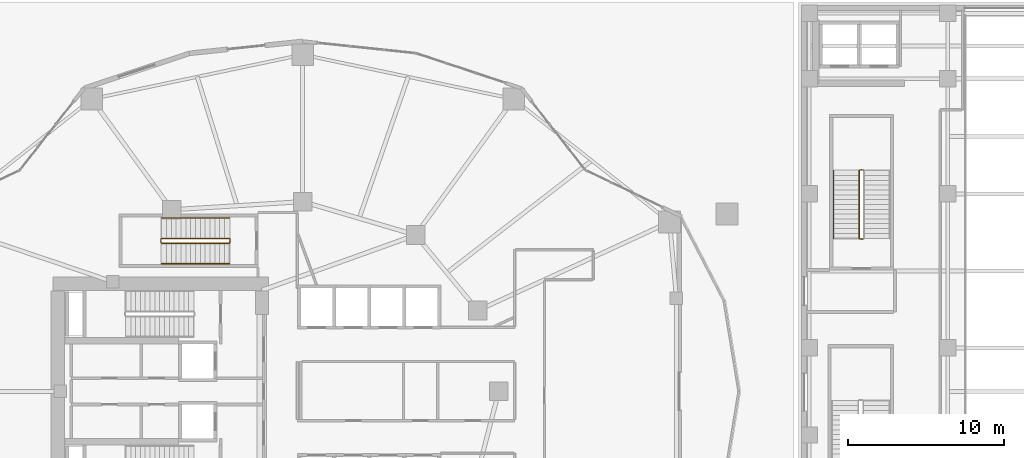
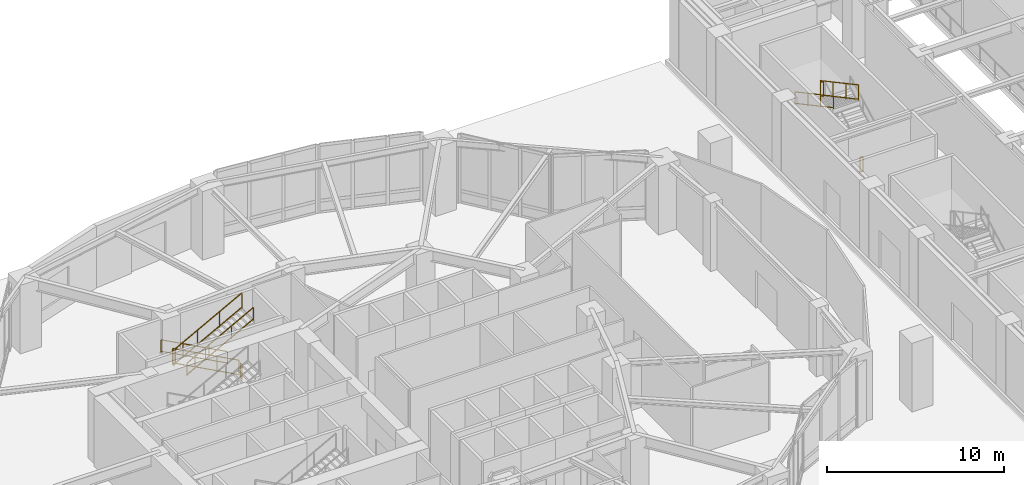
# One storey, part 20 of 23: 10 railings.
"""IFC4 building model written with IfcOpenShell, lengths in metres."""

import ifcopenshell
import ifcopenshell.guid

model = None  # the IFC model being written
_history = None  # IfcOwnerHistory: only IFC2X3 demands one
_inside = {}  # id of a spatial element -> (the spatial element, [elements in it])
_under = {}  # id of a project, library or spatial element -> (it, [spatial elements below it])
_declared = {}  # id of a project -> (the project, [libraries it declares])
_typed = {}  # id of a type object -> (the type object, [elements of that type])
_made_of = {}  # id of a material, layer set ... -> (it, [elements and type objects made of it])


def new_model(schema):
    """Start an empty IFC model of exactly this schema.

    Asked for "IFC4X3", IfcOpenShell would pick the latest addendum, in which some entities
    have other attributes; the version numbers below select the first issue.
    IFC2X3 requires an IfcOwnerHistory on every rooted entity: one is made here for all.
    """
    global model, _history
    if schema == "IFC4X3":
        model = ifcopenshell.file(schema_version=(4, 3, 0, 0))
    else:
        model = ifcopenshell.file(schema=schema)
    _inside.clear()
    _under.clear()
    _declared.clear()
    _typed.clear()
    _made_of.clear()
    _history = None
    if model.schema == "IFC2X3":
        org = make("IfcOrganization", Name="unknown")
        user = make(
            "IfcPersonAndOrganization",
            ThePerson=make("IfcPerson", FamilyName="unknown"),
            TheOrganization=org,
        )
        app = make(
            "IfcApplication",
            ApplicationDeveloper=org,
            Version="unknown",
            ApplicationFullName="unknown",
            ApplicationIdentifier="unknown",
        )
        _history = make(
            "IfcOwnerHistory",
            OwningUser=user,
            OwningApplication=app,
            ChangeAction="ADDED",
            CreationDate=0,
        )
    return model


def make(cls, **values):
    """One entity of the class cls with the attributes given. An attribute that is None is left unset."""
    return model.create_entity(
        cls, **{name: value for name, value in values.items() if value is not None}
    )


def rooted(cls, **values):
    """An entity with a GlobalId (a new one), such as an element, a storey or a relation."""
    return make(cls, GlobalId=ifcopenshell.guid.new(), OwnerHistory=_history, **values)


def si_unit(unit_type, name, prefix=None):
    """IfcSIUnit, for example si_unit("LENGTHUNIT", "METRE", prefix="MILLI")."""
    return make("IfcSIUnit", UnitType=unit_type, Prefix=prefix, Name=name)


def assignment(units):
    """IfcUnitAssignment: the units of a project."""
    return None if units is None else make("IfcUnitAssignment", Units=units)


def point(xyz):
    """IfcCartesianPoint."""
    return None if xyz is None else make("IfcCartesianPoint", Coordinates=xyz)


def direction(xyz):
    """IfcDirection."""
    return None if xyz is None else make("IfcDirection", DirectionRatios=xyz)


def frame(location, z_axis=None, x_axis=None):
    """IfcAxis2Placement3D, a coordinate frame: its origin and axes. An axis left out is left unset."""
    return make(
        "IfcAxis2Placement3D",
        Location=point(location),
        Axis=direction(z_axis),
        RefDirection=direction(x_axis),
    )


def frame_2d(location, x_axis=None):
    """IfcAxis2Placement2D, a coordinate frame in the plane: its origin and x axis."""
    return make(
        "IfcAxis2Placement2D", Location=point(location), RefDirection=direction(x_axis)
    )


def origin():
    """The frame at (0, 0, 0) with its axes left unset."""
    return frame((0.0, 0.0, 0.0))


def origin_2d():
    """The frame at (0, 0) in the plane with its x axis left unset."""
    return frame_2d((0.0, 0.0))


def place(relative_to, where):
    """IfcLocalPlacement: puts the frame where relative to a parent placement (None: the world)."""
    return make(
        "IfcLocalPlacement", PlacementRelTo=relative_to, RelativePlacement=where
    )


def context(
    kind, dimensions, precision=None, world=None, true_north=None, identifier=None
):
    """IfcGeometricRepresentationContext, for example the 3D "Model" context."""
    return make(
        "IfcGeometricRepresentationContext",
        ContextIdentifier=identifier,
        ContextType=kind,
        CoordinateSpaceDimension=dimensions,
        Precision=precision,
        WorldCoordinateSystem=world,
        TrueNorth=true_north,
    )


def subcontext(parent, identifier, kind, view, scale=None):
    """IfcGeometricRepresentationSubContext, for example "Body" below "Model"."""
    return make(
        "IfcGeometricRepresentationSubContext",
        ContextIdentifier=identifier,
        ContextType=kind,
        ParentContext=parent,
        TargetScale=scale,
        TargetView=view,
    )


def project(units=None, contexts=None):
    """IfcProject with its units and contexts."""
    return rooted(
        "IfcProject",
        Name="project",
        RepresentationContexts=contexts,
        UnitsInContext=assignment(units),
    )


def spatial(cls, under=None, at=None, **own):
    """A site, building, storey or space (cls), placed at a placement, below another one or the project."""
    s = rooted(cls, ObjectPlacement=at, **own)
    if under is not None:
        _under.setdefault(under.id(), (under, []))[1].append(s)
    return s


def profile(cls, at=None, kind="AREA", **sizes):
    """A parametric profile (cls). Its sizes go by their IFC names, for example OverallWidth=200.0."""
    return make(cls, ProfileType=kind, Position=at, **sizes)


def rectangle(**sizes):
    """IfcRectangleProfileDef."""
    return profile("IfcRectangleProfileDef", **sizes)


def extrude(swept, where, along, depth):
    """IfcExtrudedAreaSolid: the profile swept, set in the frame where, extruded along a direction by depth."""
    return make(
        "IfcExtrudedAreaSolid",
        SweptArea=swept,
        Position=where,
        ExtrudedDirection=direction(along),
        Depth=depth,
    )


def shape(context_of_items, identifier, shape_type, items):
    """IfcShapeRepresentation: the items that make up one representation, for example the "Body"."""
    return make(
        "IfcShapeRepresentation",
        ContextOfItems=context_of_items,
        RepresentationIdentifier=identifier,
        RepresentationType=shape_type,
        Items=items,
    )


def material(Name=None, Category=None):
    """IfcMaterial."""
    return make("IfcMaterial", Name=Name, Category=Category)


def made_of(thing, what):
    """Note that an element or type object is made of a material, layer set ...; save() writes the relation."""
    if what is not None:
        _made_of.setdefault(what.id(), (what, []))[1].append(thing)
    return thing


def type_object(cls, material=None, **own):
    """A type object (cls), such as IfcWallType, which elements share."""
    return made_of(rooted(cls, **own), material)


def element(
    cls,
    number,
    at=None,
    inside=None,
    cuts=None,
    type_object=None,
    material=None,
    context=None,
    identifier="Body",
    shape_type=None,
    held_by="IfcProductDefinitionShape",
    body=None,
    shapes=None,
    **own,
):
    """One element of the class cls, such as IfcWall. Its Tag is "e" and its number.

    at: its placement. inside: the storey or other place that contains it. cuts: it is an
    opening in that element (IfcRelVoidsElement). A single representation is given by context,
    identifier, shape_type and body (its items); several are given by shapes. held_by: the class
    of the entity that holds the representations. save() writes the other relations.
    """
    e = rooted(cls, Tag="e%d" % number, ObjectPlacement=at, **own)
    if body is not None:
        shapes = [shape(context, identifier, shape_type, body)]
    if shapes is not None:
        e.Representation = make(held_by, Representations=shapes)
    if inside is not None:
        _inside.setdefault(inside.id(), (inside, []))[1].append(e)
    if cuts is not None:
        rooted(
            "IfcRelVoidsElement", RelatingBuildingElement=cuts, RelatedOpeningElement=e
        )
    if type_object is not None:
        _typed.setdefault(type_object.id(), (type_object, []))[1].append(e)
    return made_of(e, material)


def aggregate(whole, parts):
    """IfcRelAggregates: a whole, such as a stair, and the parts it consists of."""
    return rooted("IfcRelAggregates", RelatingObject=whole, RelatedObjects=parts)


def save(model, path):
    """Write the relations noted so far, then the file.

    IfcRelAggregates (storeys below a building ...), IfcRelContainedInSpatialStructure (elements
    in a storey), IfcRelDefinesByType, IfcRelAssociatesMaterial and IfcRelDeclares: one each for
    every whole, place, type object, material and project.
    """
    for whole, parts in _under.values():
        aggregate(whole, parts)
    for where, things in _inside.values():
        rooted(
            "IfcRelContainedInSpatialStructure",
            RelatedElements=things,
            RelatingStructure=where,
        )
    for kind, things in _typed.values():
        rooted("IfcRelDefinesByType", RelatedObjects=things, RelatingType=kind)
    for what, things in _made_of.values():
        rooted("IfcRelAssociatesMaterial", RelatedObjects=things, RelatingMaterial=what)
    for by, libraries in _declared.values():
        rooted("IfcRelDeclares", RelatingContext=by, RelatedDefinitions=libraries)
    model.write(path)


model = new_model("IFC4")

# Units and contexts
model_context = context("Model", 3, precision=1e-05, world=origin(), true_north=direction((0.0, 1.0)))
body_context = subcontext(model_context, "Body", "Model", "MODEL_VIEW")
ifc_project = project(units=[si_unit("LENGTHUNIT", "METRE"), si_unit("AREAUNIT", "SQUARE_METRE"), si_unit("VOLUMEUNIT", "CUBIC_METRE"), si_unit("PLANEANGLEUNIT", "RADIAN"), si_unit("MASSUNIT", "GRAM", prefix="KILO")], contexts=[model_context])

# Site, building, storey
site_placement = place(None, origin())
site = spatial("IfcSite", under=ifc_project, at=site_placement, CompositionType="ELEMENT")
building_placement = place(site_placement, origin())
building = spatial("IfcBuilding", under=site, at=building_placement, Name="Kolvaren Gate Tower and Convention Centre", CompositionType="ELEMENT")
storey_placement = place(building_placement, origin())
storey = spatial("IfcBuildingStorey", under=building, at=storey_placement, Name="L00", CompositionType="ELEMENT", Elevation=0.0)

# Railings
ifc_material = material(Name="Brushed Stainless Steel Grade 316L", Category="steel")
railing_type_1 = type_object("IfcRailingType", Name="ARCH-RL-GUARD-1150", PredefinedType="GUARDRAIL", material=ifc_material)
railing_1_placement = place(storey_placement, frame((25.39990234375, 36.830078125, 0.166748046875)))
element("IfcRailing", 1, at=railing_1_placement, inside=storey, type_object=railing_type_1, Name="L00 ST-T3 stair guard 1", PredefinedType="GUARDRAIL", context=body_context, shape_type="SweptSolid", body=[
    extrude(rectangle(XDim=0.048095703125, YDim=0.048095703125, at=origin_2d()), frame((0.0, 0.0, 1.076171875), z_axis=(-0.8807748016, 0.0, 0.47353537235), x_axis=(0.0, -1.0, 0.0)), (0.0, 0.0, 1.0), 4.92724609375),
    extrude(rectangle(XDim=0.048095703125, YDim=0.048095703125, at=origin_2d()), frame((0.0, 0.0, 0.083984375), z_axis=(-0.8807748016, 0.0, 0.47353537235), x_axis=(0.0, -1.0, 0.0)), (0.0, 0.0, 1.0), 4.92724609375),
    extrude(rectangle(XDim=0.0419921875, YDim=0.0419921875, at=origin_2d()), origin(), (0.0, 0.0, 1.0), 1.050048828125),
    extrude(rectangle(XDim=0.0419921875, YDim=0.0419921875, at=origin_2d()), frame((-4.33984375, 0.0, 2.333251953125)), (0.0, 0.0, 1.0), 1.050048828125),
    extrude(rectangle(XDim=0.0419921875, YDim=0.0419921875, at=origin_2d()), frame((-1.446533203125, 0.0, 0.77783203125)), (0.0, 0.0, 1.0), 1.050048828125),
    extrude(rectangle(XDim=0.0419921875, YDim=0.0419921875, at=origin_2d()), frame((-2.893310546875, 0.0, 1.555419921875)), (0.0, 0.0, 1.0), 1.050048828125),
])
railing_2_placement = place(storey_placement, frame((21.010009765625, 36.780029296875, 2.5)))
element("IfcRailing", 2, at=railing_2_placement, inside=storey, type_object=railing_type_1, Name="L00 ST-T3 stair guard 2", PredefinedType="GUARDRAIL", context=body_context, shape_type="SweptSolid", body=[
    extrude(rectangle(XDim=0.048095703125, YDim=0.048095703125, at=origin_2d()), frame((0.0, 0.0, 1.076171875), z_axis=(0.0, -1.0, 0.0), x_axis=(1.0, 0.0, 0.0)), (0.0, 0.0, 1.0), 0.199951171875),
    extrude(rectangle(XDim=0.048095703125, YDim=0.048095703125, at=origin_2d()), frame((0.0, 0.0, 0.083984375), z_axis=(0.0, -1.0, 0.0), x_axis=(1.0, 0.0, 0.0)), (0.0, 0.0, 1.0), 0.199951171875),
    extrude(rectangle(XDim=0.0419921875, YDim=0.0419921875, at=origin_2d()), origin(), (0.0, 0.0, 1.0), 1.050048828125),
    extrude(rectangle(XDim=0.0419921875, YDim=0.0419921875, at=origin_2d()), frame((0.0, -0.199951171875, 0.0)), (0.0, 0.0, 1.0), 1.050048828125),
])
railing_3_placement = place(storey_placement, frame((21.06005859375, 36.530029296875, 2.666748046875)))
element("IfcRailing", 3, at=railing_3_placement, inside=storey, type_object=railing_type_1, Name="L00 ST-T3 stair guard 3", PredefinedType="GUARDRAIL", context=body_context, shape_type="SweptSolid", body=[
    extrude(rectangle(XDim=0.048095703125, YDim=0.048095703125, at=origin_2d()), frame((0.0, 0.0, 1.076171875), z_axis=(0.8807748016, 0.0, 0.47353537235), x_axis=(0.0, 1.0, 0.0)), (0.0, 0.0, 1.0), 4.92724609375),
    extrude(rectangle(XDim=0.048095703125, YDim=0.048095703125, at=origin_2d()), frame((0.0, 0.0, 0.083984375), z_axis=(0.8807748016, 0.0, 0.47353537235), x_axis=(0.0, 1.0, 0.0)), (0.0, 0.0, 1.0), 4.92724609375),
    extrude(rectangle(XDim=0.0419921875, YDim=0.0419921875, at=origin_2d()), origin(), (0.0, 0.0, 1.0), 1.050048828125),
    extrude(rectangle(XDim=0.0419921875, YDim=0.0419921875, at=origin_2d()), frame((4.33984375, 0.0, 2.333251953125)), (0.0, 0.0, 1.0), 1.050048828125),
    extrude(rectangle(XDim=0.0419921875, YDim=0.0419921875, at=origin_2d()), frame((1.446533203125, 0.0, 0.77783203125)), (0.0, 0.0, 1.0), 1.050048828125),
    extrude(rectangle(XDim=0.0419921875, YDim=0.0419921875, at=origin_2d()), frame((2.893310546875, 0.0, 1.555419921875)), (0.0, 0.0, 1.0), 1.050048828125),
])
railing_4_placement = place(storey_placement, frame((25.449951171875, 36.780029296875, 0.0)))
element("IfcRailing", 4, at=railing_4_placement, inside=storey, type_object=railing_type_1, Name="L00 ST-T3 stair guard 4", PredefinedType="GUARDRAIL", context=body_context, shape_type="SweptSolid", body=[
    extrude(rectangle(XDim=0.048095703125, YDim=0.048095703125, at=origin_2d()), frame((0.0, 0.0, 1.076171875), z_axis=(0.0, -1.0, 0.0), x_axis=(1.0, 0.0, 0.0)), (0.0, 0.0, 1.0), 0.199951171875),
    extrude(rectangle(XDim=0.048095703125, YDim=0.048095703125, at=origin_2d()), frame((0.0, 0.0, 0.083984375), z_axis=(0.0, -1.0, 0.0), x_axis=(1.0, 0.0, 0.0)), (0.0, 0.0, 1.0), 0.199951171875),
    extrude(rectangle(XDim=0.0419921875, YDim=0.0419921875, at=origin_2d()), origin(), (0.0, 0.0, 1.0), 1.050048828125),
    extrude(rectangle(XDim=0.0419921875, YDim=0.0419921875, at=origin_2d()), frame((0.0, -0.199951171875, 0.0)), (0.0, 0.0, 1.0), 1.050048828125),
])
railing_5_placement = place(storey_placement, frame((66.14990234375, 41.239990234375, 2.5)))
element("IfcRailing", 5, at=railing_5_placement, inside=storey, type_object=railing_type_1, Name="L00 ST-C1 stair guard 2", PredefinedType="GUARDRAIL", context=body_context, shape_type="SweptSolid", body=[
    extrude(rectangle(XDim=0.048095703125, YDim=0.048095703125, at=origin_2d()), frame((0.0, 0.0, 1.076171875), z_axis=(-1.0, 0.0, 0.0), x_axis=(0.0, -1.0, 0.0)), (0.0, 0.0, 1.0), 0.199951171875),
    extrude(rectangle(XDim=0.048095703125, YDim=0.048095703125, at=origin_2d()), frame((0.0, 0.0, 0.083984375), z_axis=(-1.0, 0.0, 0.0), x_axis=(0.0, -1.0, 0.0)), (0.0, 0.0, 1.0), 0.199951171875),
    extrude(rectangle(XDim=0.0419921875, YDim=0.0419921875, at=origin_2d()), origin(), (0.0, 0.0, 1.0), 1.050048828125),
    extrude(rectangle(XDim=0.0419921875, YDim=0.0419921875, at=origin_2d()), frame((-0.199951171875, 0.0, 0.0)), (0.0, 0.0, 1.0), 1.050048828125),
])
railing_6_placement = place(storey_placement, frame((65.89990234375, 41.18994140625, 2.666748046875)))
element("IfcRailing", 6, at=railing_6_placement, inside=storey, type_object=railing_type_1, Name="L00 ST-C1 stair guard 3", PredefinedType="GUARDRAIL", context=body_context, shape_type="SweptSolid", body=[
    extrude(rectangle(XDim=0.048095703125, YDim=0.048095703125, at=origin_2d()), frame((0.0, 0.0, 1.076171875), z_axis=(0.0, -0.8807748016, 0.47353537235), x_axis=(1.0, 0.0, 0.0)), (0.0, 0.0, 1.0), 4.92724609375),
    extrude(rectangle(XDim=0.048095703125, YDim=0.048095703125, at=origin_2d()), frame((0.0, 0.0, 0.083984375), z_axis=(0.0, -0.8807748016, 0.47353537235), x_axis=(1.0, 0.0, 0.0)), (0.0, 0.0, 1.0), 4.92724609375),
    extrude(rectangle(XDim=0.0419921875, YDim=0.0419921875, at=origin_2d()), origin(), (0.0, 0.0, 1.0), 1.050048828125),
    extrude(rectangle(XDim=0.0419921875, YDim=0.0419921875, at=origin_2d()), frame((0.0, -4.33984375, 2.333251953125)), (0.0, 0.0, 1.0), 1.050048828125),
    extrude(rectangle(XDim=0.0419921875, YDim=0.0419921875, at=origin_2d()), frame((0.0, -1.446533203125, 0.77783203125)), (0.0, 0.0, 1.0), 1.050048828125),
    extrude(rectangle(XDim=0.0419921875, YDim=0.0419921875, at=origin_2d()), frame((0.0, -2.893310546875, 1.555419921875)), (0.0, 0.0, 1.0), 1.050048828125),
])
railing_7_placement = place(storey_placement, frame((66.14990234375, 36.800048828125, 0.0)))
element("IfcRailing", 7, at=railing_7_placement, inside=storey, type_object=railing_type_1, Name="L00 ST-C1 stair guard 4", PredefinedType="GUARDRAIL", context=body_context, shape_type="SweptSolid", body=[
    extrude(rectangle(XDim=0.048095703125, YDim=0.048095703125, at=origin_2d()), frame((0.0, 0.0, 1.076171875), z_axis=(-1.0, 0.0, 0.0), x_axis=(0.0, -1.0, 0.0)), (0.0, 0.0, 1.0), 0.199951171875),
    extrude(rectangle(XDim=0.048095703125, YDim=0.048095703125, at=origin_2d()), frame((0.0, 0.0, 0.083984375), z_axis=(-1.0, 0.0, 0.0), x_axis=(0.0, -1.0, 0.0)), (0.0, 0.0, 1.0), 0.199951171875),
    extrude(rectangle(XDim=0.0419921875, YDim=0.0419921875, at=origin_2d()), origin(), (0.0, 0.0, 1.0), 1.050048828125),
    extrude(rectangle(XDim=0.0419921875, YDim=0.0419921875, at=origin_2d()), frame((-0.199951171875, 0.0, 0.0)), (0.0, 0.0, 1.0), 1.050048828125),
])
railing_type_2 = type_object("IfcRailingType", Name="ARCH-RL-HANDRAIL-920", PredefinedType="HANDRAIL", material=ifc_material)
railing_8_placement = place(storey_placement, frame((25.39990234375, 38.14990234375, 0.166748046875)))
element("IfcRailing", 8, at=railing_8_placement, inside=storey, type_object=railing_type_2, Name="L00 ST-T3 stair handrail 1", PredefinedType="HANDRAIL", context=body_context, shape_type="SweptSolid", body=[
    extrude(rectangle(XDim=0.048095703125, YDim=0.048095703125, at=origin_2d()), frame((0.0, 0.0, 0.8759765625), z_axis=(-0.8807748016, 0.0, 0.47353537235), x_axis=(0.0, -1.0, 0.0)), (0.0, 0.0, 1.0), 4.92724609375),
    extrude(rectangle(XDim=0.048095703125, YDim=0.048095703125, at=origin_2d()), frame((0.0, 0.0, 0.083984375), z_axis=(-0.8807748016, 0.0, 0.47353537235), x_axis=(0.0, -1.0, 0.0)), (0.0, 0.0, 1.0), 4.92724609375),
    extrude(rectangle(XDim=0.0419921875, YDim=0.0419921875, at=origin_2d()), origin(), (0.0, 0.0, 1.0), 0.849853515625),
    extrude(rectangle(XDim=0.0419921875, YDim=0.0419921875, at=origin_2d()), frame((-4.33984375, 0.0, 2.333251953125)), (0.0, 0.0, 1.0), 0.849853515625),
    extrude(rectangle(XDim=0.0419921875, YDim=0.0419921875, at=origin_2d()), frame((-1.446533203125, 0.0, 0.77783203125)), (0.0, 0.0, 1.0), 0.849853515625),
    extrude(rectangle(XDim=0.0419921875, YDim=0.0419921875, at=origin_2d()), frame((-2.893310546875, 0.0, 1.555419921875)), (0.0, 0.0, 1.0), 0.849853515625),
])
railing_9_placement = place(storey_placement, frame((21.06005859375, 35.2099609375, 2.666748046875)))
element("IfcRailing", 9, at=railing_9_placement, inside=storey, type_object=railing_type_2, Name="L00 ST-T3 stair handrail 2", PredefinedType="HANDRAIL", context=body_context, shape_type="SweptSolid", body=[
    extrude(rectangle(XDim=0.048095703125, YDim=0.048095703125, at=origin_2d()), frame((0.0, 0.0, 0.8759765625), z_axis=(0.8807748016, 0.0, 0.47353537235), x_axis=(0.0, 1.0, 0.0)), (0.0, 0.0, 1.0), 4.92724609375),
    extrude(rectangle(XDim=0.048095703125, YDim=0.048095703125, at=origin_2d()), frame((0.0, 0.0, 0.083984375), z_axis=(0.8807748016, 0.0, 0.47353537235), x_axis=(0.0, 1.0, 0.0)), (0.0, 0.0, 1.0), 4.92724609375),
    extrude(rectangle(XDim=0.0419921875, YDim=0.0419921875, at=origin_2d()), origin(), (0.0, 0.0, 1.0), 0.849853515625),
    extrude(rectangle(XDim=0.0419921875, YDim=0.0419921875, at=origin_2d()), frame((4.33984375, 0.0, 2.333251953125)), (0.0, 0.0, 1.0), 0.849853515625),
    extrude(rectangle(XDim=0.0419921875, YDim=0.0419921875, at=origin_2d()), frame((1.446533203125, 0.0, 0.77783203125)), (0.0, 0.0, 1.0), 0.849853515625),
    extrude(rectangle(XDim=0.0419921875, YDim=0.0419921875, at=origin_2d()), frame((2.893310546875, 0.0, 1.555419921875)), (0.0, 0.0, 1.0), 0.849853515625),
])
railing_10_placement = place(storey_placement, frame((64.25, 41.18994140625, 2.666748046875)))
element("IfcRailing", 10, at=railing_10_placement, inside=storey, type_object=railing_type_2, Name="L00 ST-C1 stair handrail 2", PredefinedType="HANDRAIL", context=body_context, shape_type="SweptSolid", body=[
    extrude(rectangle(XDim=0.048095703125, YDim=0.048095703125, at=origin_2d()), frame((0.0, 0.0, 0.8759765625), z_axis=(0.0, -0.8807748016, 0.47353537235), x_axis=(1.0, 0.0, 0.0)), (0.0, 0.0, 1.0), 4.92724609375),
    extrude(rectangle(XDim=0.048095703125, YDim=0.048095703125, at=origin_2d()), frame((0.0, 0.0, 0.083984375), z_axis=(0.0, -0.8807748016, 0.47353537235), x_axis=(1.0, 0.0, 0.0)), (0.0, 0.0, 1.0), 4.92724609375),
    extrude(rectangle(XDim=0.0419921875, YDim=0.0419921875, at=origin_2d()), origin(), (0.0, 0.0, 1.0), 0.849853515625),
    extrude(rectangle(XDim=0.0419921875, YDim=0.0419921875, at=origin_2d()), frame((0.0, -4.33984375, 2.333251953125)), (0.0, 0.0, 1.0), 0.849853515625),
    extrude(rectangle(XDim=0.0419921875, YDim=0.0419921875, at=origin_2d()), frame((0.0, -1.446533203125, 0.77783203125)), (0.0, 0.0, 1.0), 0.849853515625),
    extrude(rectangle(XDim=0.0419921875, YDim=0.0419921875, at=origin_2d()), frame((0.0, -2.893310546875, 1.555419921875)), (0.0, 0.0, 1.0), 0.849853515625),
])

save(model, "model.ifc")
